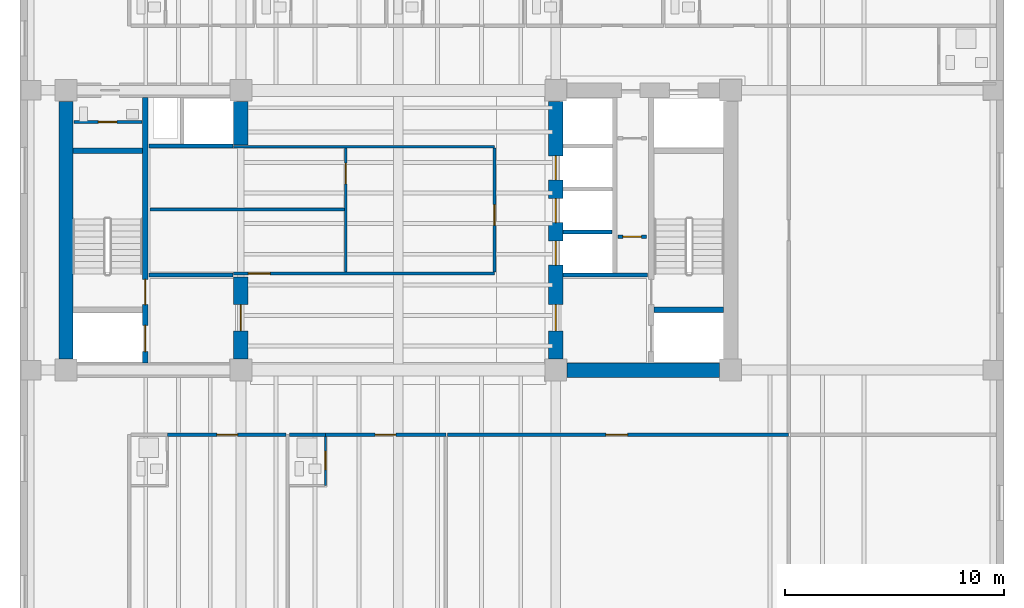
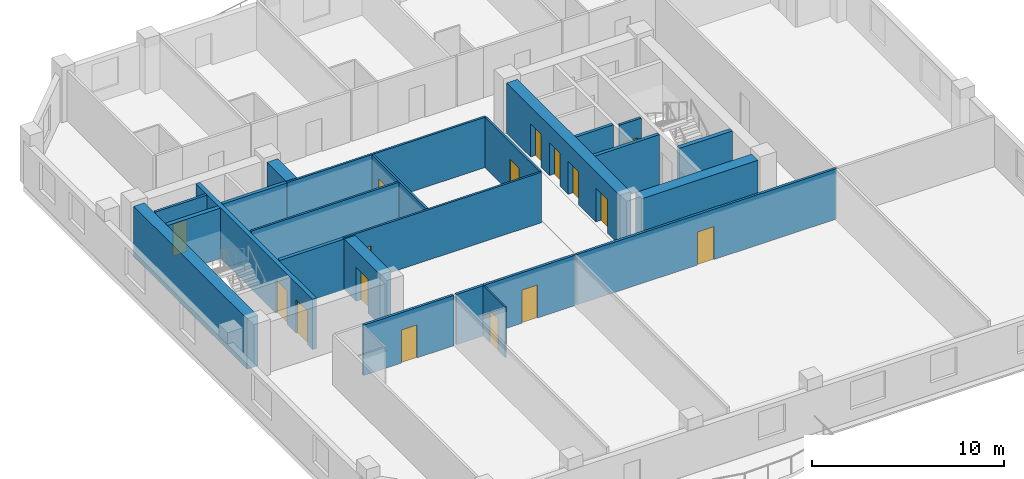
# One storey, part 3 of 10: 24 walls, 16 doors, 16 openings.
"""IFC4 building model written with IfcOpenShell, lengths in metres."""

from ifc_helpers import new_model, si_unit, direction, frame, frame_2d, origin, place, context, subcontext, project, spatial, rectangle, extrude, material, layer, layer_set, type_object, element, fill, save


model = new_model("IFC4")

# Units and contexts
model_context = context("Model", 3, precision=1e-05, world=origin(), true_north=direction((0.0, 1.0)))
body_context = subcontext(model_context, "Body", "Model", "MODEL_VIEW")
ifc_project = project(units=[si_unit("LENGTHUNIT", "METRE"), si_unit("AREAUNIT", "SQUARE_METRE"), si_unit("VOLUMEUNIT", "CUBIC_METRE"), si_unit("PLANEANGLEUNIT", "RADIAN"), si_unit("MASSUNIT", "GRAM", prefix="KILO")], contexts=[model_context])

# Site, building, storey
site_placement = place(None, origin())
site = spatial("IfcSite", under=ifc_project, at=site_placement, CompositionType="ELEMENT")
building_placement = place(site_placement, origin())
building = spatial("IfcBuilding", under=site, at=building_placement, Name="Kranthara Brick Stack", CompositionType="ELEMENT")
storey_placement = place(building_placement, frame((0.0, 0.0, 144.800048828125)))
storey = spatial("IfcBuildingStorey", under=building, at=storey_placement, Name="L36", CompositionType="ELEMENT", Elevation=144.800048828125)

# Wall, openings, doors
ifc_material_1 = material(Name="Concrete C50/60", Category="concrete")
ifc_layer_1 = layer(ifc_material_1, 0.25)
ifc_layer_set_1 = layer_set([ifc_layer_1], Name="Concrete C50/60")
wall_type_1 = type_object("IfcWallType", Name="WL-CORE-250", PredefinedType="SHEAR", material=ifc_layer_set_1)
wall_1_placement = place(storey_placement, frame((16.43505859375, 21.135009765625, 0.0), z_axis=(0.0, 0.0, 1.0), x_axis=(0.0, 1.0, 0.0)))
wall_1 = element("IfcWall", 1, at=wall_1_placement, inside=storey, type_object=wall_type_1, Name="L36 West Core Stair Bearing Spine Wall", PredefinedType="SHEAR", context=body_context, shape_type="SweptSolid", body=[
    extrude(rectangle(XDim=12.1298828125, YDim=0.25, at=frame_2d((6.06494140625, 0.0))), origin(), (0.0, 0.0, 1.0), 3.199951171875),
])
opening_1_placement = place(wall_1_placement, frame((0.514892578125, 0.0, 0.0)))
opening_1 = element("IfcOpeningElement", 2, at=opening_1_placement, cuts=wall_1, Name="Opening LD01", PredefinedType="OPENING", context=body_context, shape_type="SweptSolid", body=[
    extrude(rectangle(XDim=1.199951171875, YDim=2.14990234375, at=frame_2d((0.60009765625, 1.074951171875))), frame((0.0, 0.135009765625, 0.0), z_axis=(0.0, -1.0, 0.0), x_axis=(1.0, 0.0, 0.0)), (0.0, 0.0, 1.0), 0.27001953125),
])
opening_2_placement = place(wall_1_placement, frame((2.6650390625, 0.0, 0.0)))
opening_2 = element("IfcOpeningElement", 3, at=opening_2_placement, cuts=wall_1, Name="Opening D05", PredefinedType="OPENING", context=body_context, shape_type="SweptSolid", body=[
    extrude(rectangle(XDim=1.14990234375, YDim=2.14990234375, at=frame_2d((0.574951171875, 1.074951171875))), frame((0.0, 0.135009765625, 0.0), z_axis=(0.0, -1.0, 0.0), x_axis=(1.0, 0.0, 0.0)), (0.0, 0.0, 1.0), 0.27001953125),
])
ifc_material_2 = material(Name="Stainless steel sliding landing door", Category="steel")
door_type_1 = type_object("IfcDoorType", Name="DR-LD-FF1200", OperationType="DOUBLE_DOOR_SLIDING", PredefinedType="DOOR", material=ifc_material_2)
door_1_placement = place(opening_1_placement, origin())
door_1 = element("IfcDoor", 4, at=door_1_placement, inside=storey, type_object=door_type_1, Name="L36 Firefighting Lift FF-01 Landing Door", OperationType="DOUBLE_DOOR_SLIDING", OverallHeight=2.14990234375, OverallWidth=1.199951171875, PredefinedType="DOOR", context=body_context, shape_type="SweptSolid", body=[
    extrude(rectangle(XDim=1.199951171875, YDim=2.14990234375, at=frame_2d((0.60009765625, 1.074951171875))), frame((0.0, 0.02490234375, 0.0), z_axis=(0.0, -1.0, 0.0), x_axis=(1.0, 0.0, 0.0)), (0.0, 0.0, 1.0), 0.050048828125),
])
fill(opening_1, door_1)
ifc_material_3 = material(Name="Solid-core hardwood timber leaf in steel frame", Category="steel")
door_type_2 = type_object("IfcDoorType", Name="DR-ST-1150", OperationType="NOTDEFINED", PredefinedType="DOOR", material=ifc_material_3)
door_2_placement = place(opening_2_placement, origin())
door_2 = element("IfcDoor", 5, at=door_2_placement, inside=storey, type_object=door_type_2, Name="L36 Exit Stair ST01 Door", OperationType="SINGLE_SWING_RIGHT", OverallHeight=2.14990234375, OverallWidth=1.14990234375, PredefinedType="DOOR", context=body_context, shape_type="SweptSolid", body=[
    extrude(rectangle(XDim=1.14990234375, YDim=2.14990234375, at=frame_2d((0.574951171875, 1.074951171875))), frame((0.0, 0.02490234375, 0.0), z_axis=(0.0, -1.0, 0.0), x_axis=(1.0, 0.0, 0.0)), (0.0, 0.0, 1.0), 0.050048828125),
])
fill(opening_2, door_2)

# Walls
for number, where, z_axis, x_axis, name in (
    (6, (13.135009765625, 30.830078125, 0.0), (0.0, 0.0, 1.0), (1.0, 0.0, 0.0), "L36 West Stairwell Bearing Wall WST"),
    (7, (39.68994140625, 23.570068359375, 0.0), (0.0, 0.0, 1.0), (1.0, 0.0, 0.0), "L36 East Stairwell Bearing Wall EFF"),
):
    element("IfcWall", number, at=place(storey_placement, frame(where, z_axis=z_axis, x_axis=x_axis)), inside=storey, type_object=wall_type_1, Name=name, PredefinedType="SHEAR", context=body_context, shape_type="SweptSolid", body=[
        extrude(rectangle(XDim=3.175048828125, YDim=0.25, at=frame_2d((1.58740234375, 0.0))), origin(), (0.0, 0.0, 1.0), 3.199951171875),
    ])
ifc_material_4 = material(Name="Concrete C60/75", Category="concrete")
ifc_layer_2 = layer(ifc_material_4, 0.64990234375)
ifc_layer_set_2 = layer_set([ifc_layer_2], Name="Concrete C60/75")
wall_type_2 = type_object("IfcWallType", Name="WL-CORE-650", PredefinedType="SHEAR", material=ifc_layer_set_2)
wall_2_placement = place(storey_placement, frame((12.800048828125, 21.304931640625, 0.0), z_axis=(0.0, 0.0, 1.0), x_axis=(0.0, 1.0, 0.0)))
element("IfcWall", 8, at=wall_2_placement, inside=storey, type_object=wall_type_2, Name="L36 West Core Shear Wall West", PredefinedType="SHEAR", context=body_context, shape_type="SweptSolid", body=[
    extrude(rectangle(XDim=11.7900390625, YDim=0.64990234375, at=frame_2d((5.89501953125, 0.0))), origin(), (0.0, 0.0, 1.0), 3.199951171875),
])

# Wall, opening, door
wall_3_placement = place(storey_placement, frame((20.800048828125, 21.304931640625, 0.0), z_axis=(0.0, 0.0, 1.0), x_axis=(0.0, 1.0, 0.0)))
wall_3 = element("IfcWall", 9, at=wall_3_placement, inside=storey, type_object=wall_type_2, Name="L36 West Core Lobby Shear Wall", PredefinedType="SHEAR", context=body_context, shape_type="SweptSolid", body=[
    extrude(rectangle(XDim=3.7451171875, YDim=0.64990234375, at=frame_2d((1.87255859375, 0.0))), origin(), (0.0, 0.0, 1.0), 3.199951171875),
])
opening_3_placement = place(wall_3_placement, frame((1.294921875, 0.0, 0.0)))
opening_3 = element("IfcOpeningElement", 10, at=opening_3_placement, cuts=wall_3, Name="Opening D06", PredefinedType="OPENING", context=body_context, shape_type="SweptSolid", body=[
    extrude(rectangle(XDim=1.199951171875, YDim=2.14990234375, at=frame_2d((0.60009765625, 1.074951171875))), frame((0.0, 0.3349609375, 0.0), z_axis=(0.0, -1.0, 0.0), x_axis=(1.0, 0.0, 0.0)), (0.0, 0.0, 1.0), 0.669921875),
])
ifc_material_5 = material(Name="Solid-core hardwood timber leaf in steel frame", Category="steel")
door_type_3 = type_object("IfcDoorType", Name="DR-FFL-1200", OperationType="NOTDEFINED", PredefinedType="DOOR", material=ifc_material_5)
door_3_placement = place(opening_3_placement, origin())
door_3 = element("IfcDoor", 11, at=door_3_placement, inside=storey, type_object=door_type_3, Name="L36 West Firefighting Lobby Door", OperationType="SINGLE_SWING_LEFT", OverallHeight=2.14990234375, OverallWidth=1.199951171875, PredefinedType="DOOR", context=body_context, shape_type="SweptSolid", body=[
    extrude(rectangle(XDim=1.199951171875, YDim=2.14990234375, at=frame_2d((0.60009765625, 1.074951171875))), frame((0.0, 0.02490234375, 0.0), z_axis=(0.0, -1.0, 0.0), x_axis=(1.0, 0.0, 0.0)), (0.0, 0.0, 1.0), 0.050048828125),
])
fill(opening_3, door_3)

# Walls
wall_4_placement = place(storey_placement, frame((20.800048828125, 31.10009765625, 0.0), z_axis=(0.0, 0.0, 1.0), x_axis=(0.0, 1.0, 0.0)))
element("IfcWall", 12, at=wall_4_placement, inside=storey, type_object=wall_type_2, Name="L36 West Core High-Rise Lift Wall", PredefinedType="SHEAR", context=body_context, shape_type="SweptSolid", body=[
    extrude(rectangle(XDim=1.994873046875, YDim=0.64990234375, at=frame_2d((0.99755859375, 0.0))), origin(), (0.0, 0.0, 1.0), 3.199951171875),
])
wall_5_placement = place(storey_placement, frame((35.705078125, 20.800048828125, 0.0), z_axis=(0.0, 0.0, 1.0), x_axis=(1.0, 0.0, 0.0)))
element("IfcWall", 13, at=wall_5_placement, inside=storey, type_object=wall_type_2, Name="L36 East Core Shear Wall South", PredefinedType="SHEAR", context=body_context, shape_type="SweptSolid", body=[
    extrude(rectangle(XDim=6.989990234375, YDim=0.64990234375, at=frame_2d((3.4951171875, 0.0))), origin(), (0.0, 0.0, 1.0), 3.199951171875),
])

# Wall, openings, doors
wall_6_placement = place(storey_placement, frame((35.199951171875, 21.304931640625, 0.0), z_axis=(0.0, 0.0, 1.0), x_axis=(0.0, 1.0, 0.0)))
wall_6 = element("IfcWall", 14, at=wall_6_placement, inside=storey, type_object=wall_type_2, Name="L36 East Core Shear Wall West", PredefinedType="SHEAR", context=body_context, shape_type="SweptSolid", body=[
    extrude(rectangle(XDim=11.7900390625, YDim=0.64990234375, at=frame_2d((5.89501953125, 0.0))), origin(), (0.0, 0.0, 1.0), 3.199951171875),
])
opening_4_placement = place(wall_6_placement, frame((1.294921875, 0.0, 0.0)))
opening_4 = element("IfcOpeningElement", 15, at=opening_4_placement, cuts=wall_6, Name="Opening D06", PredefinedType="OPENING", context=body_context, shape_type="SweptSolid", body=[
    extrude(rectangle(XDim=1.199951171875, YDim=2.14990234375, at=frame_2d((0.60009765625, 1.074951171875))), frame((0.0, 0.3349609375, 0.0), z_axis=(0.0, -1.0, 0.0), x_axis=(1.0, 0.0, 0.0)), (0.0, 0.0, 1.0), 0.669921875),
])
opening_5_placement = place(wall_6_placement, frame((4.294921875, 0.0, 0.0)))
opening_5 = element("IfcOpeningElement", 16, at=opening_5_placement, cuts=wall_6, Name="Opening LD02", PredefinedType="OPENING", context=body_context, shape_type="SweptSolid", body=[
    extrude(rectangle(XDim=1.10009765625, YDim=2.10009765625, at=frame_2d((0.550048828125, 1.050048828125))), frame((0.0, 0.3349609375, 0.0), z_axis=(0.0, -1.0, 0.0), x_axis=(1.0, 0.0, 0.0)), (0.0, 0.0, 1.0), 0.669921875),
])
opening_6_placement = place(wall_6_placement, frame((6.2451171875, 0.0, 0.0)))
opening_6 = element("IfcOpeningElement", 17, at=opening_6_placement, cuts=wall_6, Name="Opening LD02", PredefinedType="OPENING", context=body_context, shape_type="SweptSolid", body=[
    extrude(rectangle(XDim=1.10009765625, YDim=2.10009765625, at=frame_2d((0.550048828125, 1.050048828125))), frame((0.0, 0.3349609375, 0.0), z_axis=(0.0, -1.0, 0.0), x_axis=(1.0, 0.0, 0.0)), (0.0, 0.0, 1.0), 0.669921875),
])
opening_7_placement = place(wall_6_placement, frame((8.195068359375, 0.0, 0.0)))
opening_7 = element("IfcOpeningElement", 18, at=opening_7_placement, cuts=wall_6, Name="Opening LD02", PredefinedType="OPENING", context=body_context, shape_type="SweptSolid", body=[
    extrude(rectangle(XDim=1.10009765625, YDim=2.10009765625, at=frame_2d((0.550048828125, 1.050048828125))), frame((0.0, 0.3349609375, 0.0), z_axis=(0.0, -1.0, 0.0), x_axis=(1.0, 0.0, 0.0)), (0.0, 0.0, 1.0), 0.669921875),
])
door_4_placement = place(opening_4_placement, origin())
door_4 = element("IfcDoor", 19, at=door_4_placement, inside=storey, type_object=door_type_3, Name="L36 East Firefighting Lobby Door", OperationType="SINGLE_SWING_RIGHT", OverallHeight=2.14990234375, OverallWidth=1.199951171875, PredefinedType="DOOR", context=body_context, shape_type="SweptSolid", body=[
    extrude(rectangle(XDim=1.199951171875, YDim=2.14990234375, at=frame_2d((0.60009765625, 1.074951171875))), frame((0.0, 0.02490234375, 0.0), z_axis=(0.0, -1.0, 0.0), x_axis=(1.0, 0.0, 0.0)), (0.0, 0.0, 1.0), 0.050048828125),
])
fill(opening_4, door_4)
ifc_material_6 = material(Name="Stainless steel sliding landing door", Category="steel")
door_type_4 = type_object("IfcDoorType", Name="DR-LD-PL1100", OperationType="DOUBLE_DOOR_SLIDING", PredefinedType="DOOR", material=ifc_material_6)
door_5_placement = place(opening_5_placement, origin())
door_5 = element("IfcDoor", 20, at=door_5_placement, inside=storey, type_object=door_type_4, Name="L36 PL-04 Lift Landing Door", OperationType="DOUBLE_DOOR_SLIDING", OverallHeight=2.10009765625, OverallWidth=1.10009765625, PredefinedType="DOOR", context=body_context, shape_type="SweptSolid", body=[
    extrude(rectangle(XDim=1.10009765625, YDim=2.10009765625, at=frame_2d((0.550048828125, 1.050048828125))), frame((0.0, 0.02490234375, 0.0), z_axis=(0.0, -1.0, 0.0), x_axis=(1.0, 0.0, 0.0)), (0.0, 0.0, 1.0), 0.050048828125),
])
fill(opening_5, door_5)
door_6_placement = place(opening_6_placement, origin())
door_6 = element("IfcDoor", 21, at=door_6_placement, inside=storey, type_object=door_type_4, Name="L36 PL-05 Lift Landing Door", OperationType="DOUBLE_DOOR_SLIDING", OverallHeight=2.10009765625, OverallWidth=1.10009765625, PredefinedType="DOOR", context=body_context, shape_type="SweptSolid", body=[
    extrude(rectangle(XDim=1.10009765625, YDim=2.10009765625, at=frame_2d((0.550048828125, 1.050048828125))), frame((0.0, 0.02490234375, 0.0), z_axis=(0.0, -1.0, 0.0), x_axis=(1.0, 0.0, 0.0)), (0.0, 0.0, 1.0), 0.050048828125),
])
fill(opening_6, door_6)
door_7_placement = place(opening_7_placement, origin())
door_7 = element("IfcDoor", 22, at=door_7_placement, inside=storey, type_object=door_type_4, Name="L36 PL-06 Lift Landing Door", OperationType="DOUBLE_DOOR_SLIDING", OverallHeight=2.10009765625, OverallWidth=1.10009765625, PredefinedType="DOOR", context=body_context, shape_type="SweptSolid", body=[
    extrude(rectangle(XDim=1.10009765625, YDim=2.10009765625, at=frame_2d((0.550048828125, 1.050048828125))), frame((0.0, 0.02490234375, 0.0), z_axis=(0.0, -1.0, 0.0), x_axis=(1.0, 0.0, 0.0)), (0.0, 0.0, 1.0), 0.050048828125),
])
fill(opening_7, door_7)

# Wall, opening, door
ifc_material_7 = material(Name="Moisture-resistant wet-room partition", Category="other")
ifc_layer_3 = layer(ifc_material_7, 0.10009765625)
ifc_layer_set_3 = layer_set([ifc_layer_3], Name="Moisture-resistant wet-room partition")
wall_type_3 = type_object("IfcWallType", Name="WL-PART-100", PredefinedType="PARTITIONING", material=ifc_layer_set_3)
wall_7_placement = place(storey_placement, frame((24.672607421875, 15.52001953125, 0.0), z_axis=(0.0, 0.0, 1.0), x_axis=(0.0, 1.0, 0.0)))
wall_7 = element("IfcWall", 23, at=wall_7_placement, inside=storey, type_object=wall_type_3, Name="L36 Interior Partition 017", PredefinedType="PARTITIONING", context=body_context, shape_type="SweptSolid", body=[
    extrude(rectangle(XDim=2.25, YDim=0.10009765625, at=frame_2d((1.125, 0.0))), origin(), (0.0, 0.0, 1.0), 3.199951171875),
])
opening_8_placement = place(wall_7_placement, frame((0.719970703125, 0.0, 0.0)))
opening_8 = element("IfcOpeningElement", 24, at=opening_8_placement, cuts=wall_7, Name="Opening D17", PredefinedType="OPENING", context=body_context, shape_type="SweptSolid", body=[
    extrude(rectangle(XDim=0.85009765625, YDim=2.050048828125, at=frame_2d((0.425048828125, 1.02490234375))), frame((0.0, 0.06005859375, 0.0), z_axis=(0.0, -1.0, 0.0), x_axis=(1.0, 0.0, 0.0)), (0.0, 0.0, 1.0), 0.1201171875),
])
ifc_material_8 = material(Name="Solid-core hardwood timber leaf in steel frame", Category="steel")
door_type_5 = type_object("IfcDoorType", Name="DR-WET-850", OperationType="NOTDEFINED", PredefinedType="DOOR", material=ifc_material_8)
door_8_placement = place(opening_8_placement, origin())
door_8 = element("IfcDoor", 25, at=door_8_placement, inside=storey, type_object=door_type_5, Name="L36 Key 02 En-Suite Door 09", OperationType="SINGLE_SWING_LEFT", OverallHeight=2.050048828125, OverallWidth=0.85009765625, PredefinedType="DOOR", context=body_context, shape_type="SweptSolid", body=[
    extrude(rectangle(XDim=0.85009765625, YDim=2.050048828125, at=frame_2d((0.425048828125, 1.02490234375))), frame((0.0, 0.02490234375, 0.0), z_axis=(0.0, -1.0, 0.0), x_axis=(1.0, 0.0, 0.0)), (0.0, 0.0, 1.0), 0.050048828125),
])
fill(opening_8, door_8)

ifc_material_9 = material(Name="Acoustic gypsum plasterboard partition", Category="other")
ifc_layer_4 = layer(ifc_material_9, 0.1201171875)
ifc_layer_set_4 = layer_set([ifc_layer_4], Name="Acoustic gypsum plasterboard partition")
wall_type_4 = type_object("IfcWallType", Name="WL-PART-120", PredefinedType="PARTITIONING", material=ifc_layer_set_4)
wall_8_placement = place(storey_placement, frame((20.4599609375, 25.219970703125, 0.0), z_axis=(0.0, 0.0, 1.0), x_axis=(1.0, 0.0, 0.0)))
wall_8 = element("IfcWall", 26, at=wall_8_placement, inside=storey, type_object=wall_type_4, Name="L36 Interior Partition 004", PredefinedType="PARTITIONING", context=body_context, shape_type="SweptSolid", body=[
    extrude(rectangle(XDim=11.93994140625, YDim=0.1201171875, at=frame_2d((5.969970703125, 0.0))), origin(), (0.0, 0.0, 1.0), 3.199951171875),
])
opening_9_placement = place(wall_8_placement, frame((0.679931640625, 0.0, 0.0)))
opening_9 = element("IfcOpeningElement", 27, at=opening_9_placement, cuts=wall_8, Name="Opening D13", PredefinedType="OPENING", context=body_context, shape_type="SweptSolid", body=[
    extrude(rectangle(XDim=1.0, YDim=2.10009765625, at=frame_2d((0.5, 1.050048828125))), frame((0.0, 0.070068359375, 0.0), z_axis=(0.0, -1.0, 0.0), x_axis=(1.0, 0.0, 0.0)), (0.0, 0.0, 1.0), 0.14013671875),
])
ifc_material_10 = material(Name="Solid-core hardwood timber leaf in steel frame", Category="steel")
door_type_6 = type_object("IfcDoorType", Name="DR-INT-1000", OperationType="NOTDEFINED", PredefinedType="DOOR", material=ifc_material_10)
door_9_placement = place(opening_9_placement, origin())
door_9 = element("IfcDoor", 28, at=door_9_placement, inside=storey, type_object=door_type_6, Name="L36 Reading Room Door 04", OperationType="SINGLE_SWING_RIGHT", OverallHeight=2.10009765625, OverallWidth=1.0, PredefinedType="DOOR", context=body_context, shape_type="SweptSolid", body=[
    extrude(rectangle(XDim=1.0, YDim=2.10009765625, at=frame_2d((0.5, 1.050048828125))), frame((0.0, 0.02490234375, 0.0), z_axis=(0.0, -1.0, 0.0), x_axis=(1.0, 0.0, 0.0)), (0.0, 0.0, 1.0), 0.050048828125),
])
fill(opening_9, door_9)

# Wall
wall_9_placement = place(storey_placement, frame((20.4599609375, 31.02001953125, 0.0), z_axis=(0.0, 0.0, 1.0), x_axis=(1.0, 0.0, 0.0)))
element("IfcWall", 29, at=wall_9_placement, inside=storey, type_object=wall_type_4, Name="L36 Interior Partition 005", PredefinedType="PARTITIONING", context=body_context, shape_type="SweptSolid", body=[
    extrude(rectangle(XDim=11.93994140625, YDim=0.1201171875, at=frame_2d((5.969970703125, 0.0))), origin(), (0.0, 0.0, 1.0), 3.199951171875),
])

# Wall, opening, door
wall_10_placement = place(storey_placement, frame((32.39990234375, 25.284912109375, 0.0), z_axis=(0.0, 0.0, 1.0), x_axis=(0.0, 1.0, 0.0)))
wall_10 = element("IfcWall", 30, at=wall_10_placement, inside=storey, type_object=wall_type_4, Name="L36 Interior Partition 006", PredefinedType="PARTITIONING", context=body_context, shape_type="SweptSolid", body=[
    extrude(rectangle(XDim=5.670166015625, YDim=0.1201171875, at=frame_2d((2.8349609375, 0.0))), origin(), (0.0, 0.0, 1.0), 3.199951171875),
])
opening_10_placement = place(wall_10_placement, frame((2.135009765625, 0.0, 0.0)))
opening_10 = element("IfcOpeningElement", 31, at=opening_10_placement, cuts=wall_10, Name="Opening D14", PredefinedType="OPENING", context=body_context, shape_type="SweptSolid", body=[
    extrude(rectangle(XDim=0.949951171875, YDim=2.10009765625, at=frame_2d((0.47509765625, 1.050048828125))), frame((0.0, 0.070068359375, 0.0), z_axis=(0.0, -1.0, 0.0), x_axis=(1.0, 0.0, 0.0)), (0.0, 0.0, 1.0), 0.14013671875),
])
ifc_material_11 = material(Name="Solid-core hardwood timber leaf in steel frame", Category="steel")
door_type_7 = type_object("IfcDoorType", Name="DR-INT-950", OperationType="NOTDEFINED", PredefinedType="DOOR", material=ifc_material_11)
door_10_placement = place(opening_10_placement, origin())
door_10 = element("IfcDoor", 32, at=door_10_placement, inside=storey, type_object=door_type_7, Name="L36 Housekeeping Linen Door 06", OperationType="SINGLE_SWING_RIGHT", OverallHeight=2.10009765625, OverallWidth=0.949951171875, PredefinedType="DOOR", context=body_context, shape_type="SweptSolid", body=[
    extrude(rectangle(XDim=0.949951171875, YDim=2.10009765625, at=frame_2d((0.47509765625, 1.050048828125))), frame((0.0, 0.02490234375, 0.0), z_axis=(0.0, -1.0, 0.0), x_axis=(1.0, 0.0, 0.0)), (0.0, 0.0, 1.0), 0.050048828125),
])
fill(opening_10, door_10)

wall_11_placement = place(storey_placement, frame((25.60009765625, 25.284912109375, 0.0), z_axis=(0.0, 0.0, 1.0), x_axis=(0.0, 1.0, 0.0)))
wall_11 = element("IfcWall", 33, at=wall_11_placement, inside=storey, type_object=wall_type_4, Name="L36 Interior Partition 007", PredefinedType="PARTITIONING", context=body_context, shape_type="SweptSolid", body=[
    extrude(rectangle(XDim=5.670166015625, YDim=0.1201171875, at=frame_2d((2.8349609375, 0.0))), origin(), (0.0, 0.0, 1.0), 3.199951171875),
])
opening_11_placement = place(wall_11_placement, frame((4.034912109375, 0.0, 0.0)))
opening_11 = element("IfcOpeningElement", 34, at=opening_11_placement, cuts=wall_11, Name="Opening D14", PredefinedType="OPENING", context=body_context, shape_type="SweptSolid", body=[
    extrude(rectangle(XDim=0.949951171875, YDim=2.10009765625, at=frame_2d((0.47509765625, 1.050048828125))), frame((0.0, 0.070068359375, 0.0), z_axis=(0.0, -1.0, 0.0), x_axis=(1.0, 0.0, 0.0)), (0.0, 0.0, 1.0), 0.14013671875),
])
door_11_placement = place(opening_11_placement, origin())
door_11 = element("IfcDoor", 35, at=door_11_placement, inside=storey, type_object=door_type_7, Name="L36 Meeting Salon Door 05", OperationType="SINGLE_SWING_LEFT", OverallHeight=2.10009765625, OverallWidth=0.949951171875, PredefinedType="DOOR", context=body_context, shape_type="SweptSolid", body=[
    extrude(rectangle(XDim=0.949951171875, YDim=2.10009765625, at=frame_2d((0.47509765625, 1.050048828125))), frame((0.0, 0.02490234375, 0.0), z_axis=(0.0, -1.0, 0.0), x_axis=(1.0, 0.0, 0.0)), (0.0, 0.0, 1.0), 0.050048828125),
])
fill(opening_11, door_11)

# Wall
wall_12_placement = place(storey_placement, frame((16.64990234375, 28.14990234375, 0.0), z_axis=(0.0, 0.0, 1.0), x_axis=(1.0, 0.0, 0.0)))
element("IfcWall", 36, at=wall_12_placement, inside=storey, type_object=wall_type_4, Name="L36 Interior Partition 008", PredefinedType="PARTITIONING", context=body_context, shape_type="SweptSolid", body=[
    extrude(rectangle(XDim=8.885009765625, YDim=0.1201171875, at=frame_2d((4.4423828125, 0.0))), origin(), (0.0, 0.0, 1.0), 3.199951171875),
])

# Wall, opening, door
ifc_material_12 = material(Name="Fire-rated gypsum board partition", Category="other")
ifc_layer_5 = layer(ifc_material_12, 0.14990234375)
ifc_layer_set_5 = layer_set([ifc_layer_5], Name="Fire-rated gypsum board partition")
wall_type_5 = type_object("IfcWallType", Name="WL-PART-150", PredefinedType="PARTITIONING", material=ifc_layer_set_5)
wall_13_placement = place(storey_placement, frame((13.179931640625, 32.14990234375, 0.0), z_axis=(0.0, 0.0, 1.0), x_axis=(1.0, 0.0, 0.0)))
wall_13 = element("IfcWall", 37, at=wall_13_placement, inside=storey, type_object=wall_type_5, Name="L36 Interior Partition 001", PredefinedType="PARTITIONING", context=body_context, shape_type="SweptSolid", body=[
    extrude(rectangle(XDim=3.10009765625, YDim=0.14990234375, at=frame_2d((1.550048828125, 0.0))), origin(), (0.0, 0.0, 1.0), 3.199951171875),
])
opening_12_placement = place(wall_13_placement, frame((1.10009765625, 0.0, 0.0)))
opening_12 = element("IfcOpeningElement", 38, at=opening_12_placement, cuts=wall_13, Name="Opening D10", PredefinedType="OPENING", context=body_context, shape_type="SweptSolid", body=[
    extrude(rectangle(XDim=0.85009765625, YDim=2.02001953125, at=frame_2d((0.425048828125, 1.010009765625))), frame((0.0, 0.0849609375, 0.0), z_axis=(0.0, -1.0, 0.0), x_axis=(1.0, 0.0, 0.0)), (0.0, 0.0, 1.0), 0.169921875),
])
ifc_material_13 = material(Name="Solid-core hardwood timber leaf in steel frame", Category="steel")
door_type_8 = type_object("IfcDoorType", Name="DR-RSR-850", OperationType="NOTDEFINED", PredefinedType="DOOR", material=ifc_material_13)
door_12_placement = place(opening_12_placement, origin())
door_12 = element("IfcDoor", 39, at=door_12_placement, inside=storey, type_object=door_type_8, Name="L36 West Inner Riser Door 01", OperationType="SINGLE_SWING_LEFT", OverallHeight=2.02001953125, OverallWidth=0.85009765625, PredefinedType="DOOR", context=body_context, shape_type="SweptSolid", body=[
    extrude(rectangle(XDim=0.85009765625, YDim=2.02001953125, at=frame_2d((0.425048828125, 1.010009765625))), frame((0.0, 0.02490234375, 0.0), z_axis=(0.0, -1.0, 0.0), x_axis=(1.0, 0.0, 0.0)), (0.0, 0.0, 1.0), 0.050048828125),
])
fill(opening_12, door_12)

wall_14_placement = place(storey_placement, frame((38.050048828125, 26.89990234375, 0.0), z_axis=(0.0, 0.0, 1.0), x_axis=(1.0, 0.0, 0.0)))
wall_14 = element("IfcWall", 40, at=wall_14_placement, inside=storey, type_object=wall_type_5, Name="L36 Interior Partition 002", PredefinedType="PARTITIONING", context=body_context, shape_type="SweptSolid", body=[
    extrude(rectangle(XDim=1.300048828125, YDim=0.14990234375, at=frame_2d((0.64990234375, 0.0))), origin(), (0.0, 0.0, 1.0), 3.199951171875),
])
opening_13_placement = place(wall_14_placement, frame((0.219970703125, 0.0, 0.0)))
opening_13 = element("IfcOpeningElement", 41, at=opening_13_placement, cuts=wall_14, Name="Opening D10", PredefinedType="OPENING", context=body_context, shape_type="SweptSolid", body=[
    extrude(rectangle(XDim=0.85009765625, YDim=2.02001953125, at=frame_2d((0.425048828125, 1.010009765625))), frame((0.0, 0.0849609375, 0.0), z_axis=(0.0, -1.0, 0.0), x_axis=(1.0, 0.0, 0.0)), (0.0, 0.0, 1.0), 0.169921875),
])
door_13_placement = place(opening_13_placement, origin())
door_13 = element("IfcDoor", 42, at=door_13_placement, inside=storey, type_object=door_type_8, Name="L36 East Valve Door 02", OperationType="SINGLE_SWING_RIGHT", OverallHeight=2.02001953125, OverallWidth=0.85009765625, PredefinedType="DOOR", context=body_context, shape_type="SweptSolid", body=[
    extrude(rectangle(XDim=0.85009765625, YDim=2.02001953125, at=frame_2d((0.425048828125, 1.010009765625))), frame((0.0, 0.02490234375, 0.0), z_axis=(0.0, -1.0, 0.0), x_axis=(1.0, 0.0, 0.0)), (0.0, 0.0, 1.0), 0.050048828125),
])
fill(opening_13, door_13)

wall_15_placement = place(storey_placement, frame((17.4365234375, 17.85009765625, 0.0), z_axis=(0.0, 0.0, 1.0), x_axis=(1.0, 0.0, 0.0)))
wall_15 = element("IfcWall", 43, at=wall_15_placement, inside=storey, type_object=wall_type_5, Name="L36 Interior Partition 012", PredefinedType="PARTITIONING", context=body_context, shape_type="SweptSolid", body=[
    extrude(rectangle(XDim=5.41943359375, YDim=0.14990234375, at=frame_2d((2.709716796875, 0.0))), origin(), (0.0, 0.0, 1.0), 3.199951171875),
])
opening_14_placement = place(wall_15_placement, frame((2.27001953125, 0.0, 0.0)))
opening_14 = element("IfcOpeningElement", 44, at=opening_14_placement, cuts=wall_15, Name="Opening D09", PredefinedType="OPENING", context=body_context, shape_type="SweptSolid", body=[
    extrude(rectangle(XDim=0.949951171875, YDim=2.10009765625, at=frame_2d((0.47509765625, 1.050048828125))), frame((0.0, 0.0849609375, 0.0), z_axis=(0.0, -1.0, 0.0), x_axis=(1.0, 0.0, 0.0)), (0.0, 0.0, 1.0), 0.169921875),
])
ifc_material_14 = material(Name="Solid-core hardwood timber leaf in steel frame", Category="steel")
door_type_9 = type_object("IfcDoorType", Name="DR-FD-950", OperationType="NOTDEFINED", PredefinedType="DOOR", material=ifc_material_14)
door_14_placement = place(opening_14_placement, origin())
door_14 = element("IfcDoor", 45, at=door_14_placement, inside=storey, type_object=door_type_9, Name="L36 Key 01 Entry 08", OperationType="SINGLE_SWING_RIGHT", OverallHeight=2.10009765625, OverallWidth=0.949951171875, PredefinedType="DOOR", context=body_context, shape_type="SweptSolid", body=[
    extrude(rectangle(XDim=0.949951171875, YDim=2.10009765625, at=frame_2d((0.47509765625, 1.050048828125))), frame((0.0, 0.02490234375, 0.0), z_axis=(0.0, -1.0, 0.0), x_axis=(1.0, 0.0, 0.0)), (0.0, 0.0, 1.0), 0.050048828125),
])
fill(opening_14, door_14)

# Wall
wall_16_placement = place(storey_placement, frame((23.01611328125, 17.85009765625, 0.0), z_axis=(0.0, 0.0, 1.0), x_axis=(1.0, 0.0, 0.0)))
element("IfcWall", 46, at=wall_16_placement, inside=storey, type_object=wall_type_5, Name="L36 Interior Partition 015", PredefinedType="PARTITIONING", context=body_context, shape_type="SweptSolid", body=[
    extrude(rectangle(XDim=1.656494140625, YDim=0.14990234375, at=frame_2d((0.828125, 0.0))), origin(), (0.0, 0.0, 1.0), 3.199951171875),
])

# Wall, opening, door
wall_17_placement = place(storey_placement, frame((24.672607421875, 17.85009765625, 0.0), z_axis=(0.0, 0.0, 1.0), x_axis=(1.0, 0.0, 0.0)))
wall_17 = element("IfcWall", 47, at=wall_17_placement, inside=storey, type_object=wall_type_5, Name="L36 Interior Partition 016", PredefinedType="PARTITIONING", context=body_context, shape_type="SweptSolid", body=[
    extrude(rectangle(XDim=5.49951171875, YDim=0.14990234375, at=frame_2d((2.749755859375, 0.0))), origin(), (0.0, 0.0, 1.0), 3.199951171875),
])
opening_15_placement = place(wall_17_placement, frame((2.27001953125, 0.0, 0.0)))
opening_15 = element("IfcOpeningElement", 48, at=opening_15_placement, cuts=wall_17, Name="Opening D09", PredefinedType="OPENING", context=body_context, shape_type="SweptSolid", body=[
    extrude(rectangle(XDim=0.949951171875, YDim=2.10009765625, at=frame_2d((0.47509765625, 1.050048828125))), frame((0.0, 0.0849609375, 0.0), z_axis=(0.0, -1.0, 0.0), x_axis=(1.0, 0.0, 0.0)), (0.0, 0.0, 1.0), 0.169921875),
])
door_15_placement = place(opening_15_placement, origin())
door_15 = element("IfcDoor", 49, at=door_15_placement, inside=storey, type_object=door_type_9, Name="L36 Key 02 Entry 10", OperationType="SINGLE_SWING_RIGHT", OverallHeight=2.10009765625, OverallWidth=0.949951171875, PredefinedType="DOOR", context=body_context, shape_type="SweptSolid", body=[
    extrude(rectangle(XDim=0.949951171875, YDim=2.10009765625, at=frame_2d((0.47509765625, 1.050048828125))), frame((0.0, 0.02490234375, 0.0), z_axis=(0.0, -1.0, 0.0), x_axis=(1.0, 0.0, 0.0)), (0.0, 0.0, 1.0), 0.050048828125),
])
fill(opening_15, door_15)

wall_18_placement = place(storey_placement, frame((30.251953125, 17.85009765625, 0.0), z_axis=(0.0, 0.0, 1.0), x_axis=(1.0, 0.0, 0.0)))
wall_18 = element("IfcWall", 50, at=wall_18_placement, inside=storey, type_object=wall_type_5, Name="L36 Interior Partition 020", PredefinedType="PARTITIONING", context=body_context, shape_type="SweptSolid", body=[
    extrude(rectangle(XDim=15.59814453125, YDim=0.14990234375, at=frame_2d((7.799072265625, 0.0))), origin(), (0.0, 0.0, 1.0), 3.199951171875),
])
opening_16_placement = place(wall_18_placement, frame((7.239013671875, 0.0, 0.0)))
opening_16 = element("IfcOpeningElement", 51, at=opening_16_placement, cuts=wall_18, Name="Opening D08", PredefinedType="OPENING", context=body_context, shape_type="SweptSolid", body=[
    extrude(rectangle(XDim=1.0, YDim=2.10009765625, at=frame_2d((0.5, 1.050048828125))), frame((0.0, 0.0849609375, 0.0), z_axis=(0.0, -1.0, 0.0), x_axis=(1.0, 0.0, 0.0)), (0.0, 0.0, 1.0), 0.169921875),
])
ifc_material_15 = material(Name="Solid-core hardwood timber leaf in steel frame", Category="steel")
door_type_10 = type_object("IfcDoorType", Name="DR-FD-1000", OperationType="NOTDEFINED", PredefinedType="DOOR", material=ifc_material_15)
door_16_placement = place(opening_16_placement, origin())
door_16 = element("IfcDoor", 52, at=door_16_placement, inside=storey, type_object=door_type_10, Name="L36 Guest Lounge 11", OperationType="SINGLE_SWING_LEFT", OverallHeight=2.10009765625, OverallWidth=1.0, PredefinedType="DOOR", context=body_context, shape_type="SweptSolid", body=[
    extrude(rectangle(XDim=1.0, YDim=2.10009765625, at=frame_2d((0.5, 1.050048828125))), frame((0.0, 0.02490234375, 0.0), z_axis=(0.0, -1.0, 0.0), x_axis=(1.0, 0.0, 0.0)), (0.0, 0.0, 1.0), 0.050048828125),
])
fill(opening_16, door_16)

# Walls
ifc_material_16 = material(Name="Gypsum plasterboard on acoustic twin stud", Category="other")
ifc_layer_6 = layer(ifc_material_16, 0.179931640625)
ifc_layer_set_6 = layer_set([ifc_layer_6], Name="Gypsum plasterboard on acoustic twin stud")
wall_type_6 = type_object("IfcWallType", Name="WL-PART-180", PredefinedType="PARTITIONING", material=ifc_layer_set_6)
wall_19_placement = place(storey_placement, frame((35.534912109375, 27.1201171875, 0.0), z_axis=(0.0, 0.0, 1.0), x_axis=(1.0, 0.0, 0.0)))
element("IfcWall", 53, at=wall_19_placement, inside=storey, type_object=wall_type_6, Name="L36 East Hoistway Wall EH1", PredefinedType="PARTITIONING", context=body_context, shape_type="SweptSolid", body=[
    extrude(rectangle(XDim=2.2451171875, YDim=0.179931640625, at=frame_2d((1.12255859375, 0.0))), origin(), (0.0, 0.0, 1.0), 3.199951171875),
])
ifc_material_17 = material(Name="Concrete C40/50", Category="concrete")
ifc_layer_7 = layer(ifc_material_17, 0.199951171875)
ifc_layer_set_7 = layer_set([ifc_layer_7], Name="Concrete C40/50")
wall_type_7 = type_object("IfcWallType", Name="WL-PART-200", PredefinedType="SOLIDWALL", material=ifc_layer_set_7)
for number, where, z_axis, x_axis, name in (
    (54, (16.60009765625, 25.14990234375, 0.0), (0.0, 0.0, 1.0), (1.0, 0.0, 0.0), "L36 West Core Cross Wall WFL"),
    (55, (16.60009765625, 31.050048828125, 0.0), (0.0, 0.0, 1.0), (1.0, 0.0, 0.0), "L36 West Core Cross Wall WH4"),
):
    element("IfcWall", number, at=place(storey_placement, frame(where, z_axis=z_axis, x_axis=x_axis)), inside=storey, type_object=wall_type_7, Name=name, PredefinedType="SOLIDWALL", context=body_context, shape_type="SweptSolid", body=[
        extrude(rectangle(XDim=3.849853515625, YDim=0.199951171875, at=frame_2d((1.9248046875, 0.0))), origin(), (0.0, 0.0, 1.0), 3.199951171875),
    ])
wall_20_placement = place(storey_placement, frame((35.534912109375, 25.14990234375, 0.0), z_axis=(0.0, 0.0, 1.0), x_axis=(1.0, 0.0, 0.0)))
element("IfcWall", 56, at=wall_20_placement, inside=storey, type_object=wall_type_7, Name="L36 East Core Cross Wall EFL", PredefinedType="SOLIDWALL", context=body_context, shape_type="SweptSolid", body=[
    extrude(rectangle(XDim=3.864990234375, YDim=0.199951171875, at=frame_2d((1.9326171875, 0.0))), origin(), (0.0, 0.0, 1.0), 3.199951171875),
])

save(model, "model.ifc")
